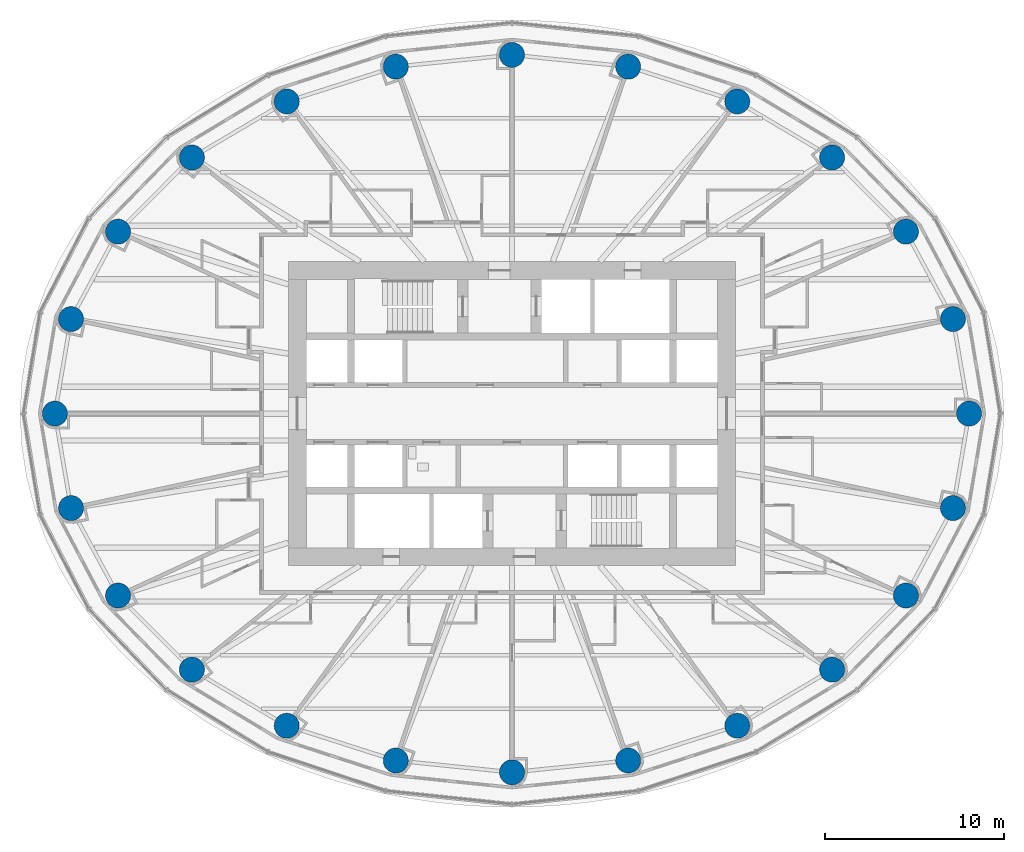
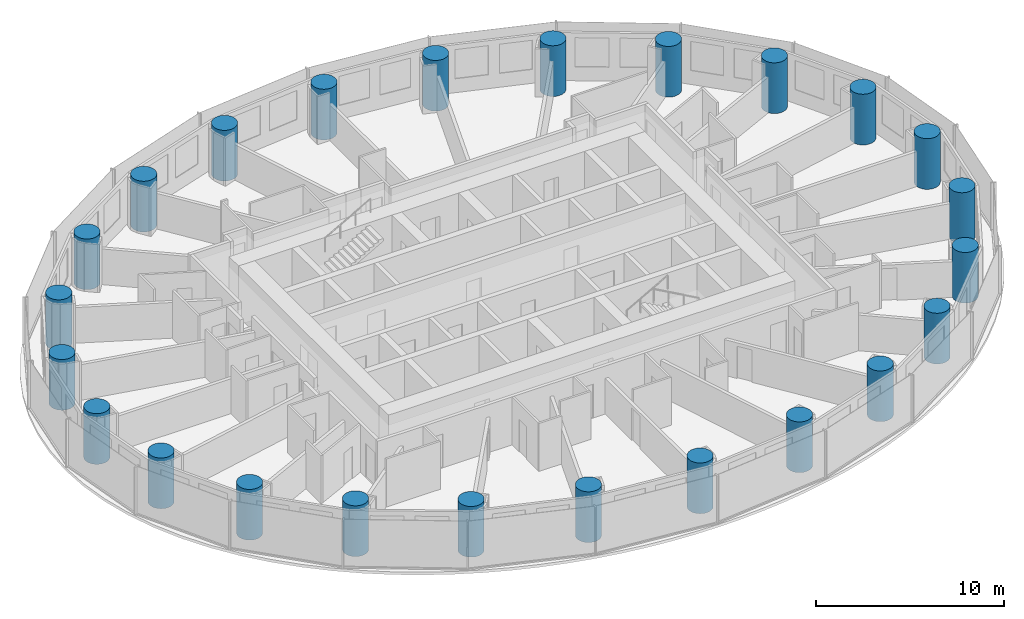
# One storey, part 1 of 16: 24 columns.
"""IFC4 building model written with IfcOpenShell, lengths in metres."""

from ifc_helpers import new_model, si_unit, direction, frame, origin, origin_2d, place, context, subcontext, project, spatial, circle, extrude, material, material_profile, profile_set, type_object, element, save


model = new_model("IFC4")

# Units and contexts
model_context = context("Model", 3, precision=1e-05, world=origin(), true_north=direction((0.0, 1.0)))
body_context = subcontext(model_context, "Body", "Model", "MODEL_VIEW")
ifc_project = project(units=[si_unit("LENGTHUNIT", "METRE"), si_unit("AREAUNIT", "SQUARE_METRE"), si_unit("VOLUMEUNIT", "CUBIC_METRE"), si_unit("PLANEANGLEUNIT", "RADIAN"), si_unit("MASSUNIT", "GRAM", prefix="KILO")], contexts=[model_context])

# Site, building, storey
site_placement = place(None, origin())
site = spatial("IfcSite", under=ifc_project, at=site_placement, CompositionType="ELEMENT")
building_placement = place(site_placement, origin())
building = spatial("IfcBuilding", under=site, at=building_placement, Name="Hankou Lantern Tower", CompositionType="ELEMENT")
storey_placement = place(building_placement, frame((0.0, 0.0, 70.5)))
storey = spatial("IfcBuildingStorey", under=building, at=storey_placement, Name="L17", CompositionType="ELEMENT", Elevation=70.5)

# Columns
ifc_material = material(Name="Concrete C60", Category="concrete")
ifc_material_profile = material_profile(ifc_material, circle(Radius=0.699951171875, at=origin_2d()), Name="RC D1400")
ifc_profile_set = profile_set([ifc_material_profile], Name="Concrete C60")
column_type = type_object("IfcColumnType", Name="TC2 PERIMETER COLUMN RC D1400", PredefinedType="COLUMN", material=ifc_profile_set)
for number, where, z_axis, x_axis, name in (
    (1, (25.550048828125, 0.0, 0.0), (0.0, 0.0, 1.0), (1.0, 0.0, 0.0), "Column R01 L17"),
    (2, (24.64697265625, 5.283203125, 0.0), (0.0, 0.0, 1.0), (1.0, 0.0, 0.0), "Column R02 L17"),
    (3, (22.01904296875, 10.170166015625, 0.0), (0.0, 0.0, 1.0), (1.0, 0.0, 0.0), "Column R03 L17"),
    (4, (17.891845703125, 14.3134765625, 0.0), (0.0, 0.0, 1.0), (1.0, 0.0, 0.0), "Column R04 L17"),
    (5, (12.5908203125, 17.446533203125, 0.0), (0.0, 0.0, 1.0), (1.0, 0.0, 0.0), "Column R05 L17"),
    (6, (6.494873046875, 19.391357421875, 0.0), (0.0, 0.0, 1.0), (1.0, 0.0, 0.0), "Column R06 L17"),
    (7, (0.0, 20.050048828125, 0.0), (0.0, 0.0, 1.0), (1.0, 0.0, 0.0), "Column R07 L17"),
    (8, (-6.494873046875, 19.391357421875, 0.0), (0.0, 0.0, 1.0), (1.0, 0.0, 0.0), "Column R08 L17"),
    (9, (-12.5908203125, 17.446533203125, 0.0), (0.0, 0.0, 1.0), (1.0, 0.0, 0.0), "Column R09 L17"),
    (10, (-17.891845703125, 14.3134765625, 0.0), (0.0, 0.0, 1.0), (1.0, 0.0, 0.0), "Column R10 L17"),
    (11, (-22.01904296875, 10.170166015625, 0.0), (0.0, 0.0, 1.0), (1.0, 0.0, 0.0), "Column R11 L17"),
    (12, (-24.64697265625, 5.283203125, 0.0), (0.0, 0.0, 1.0), (1.0, 0.0, 0.0), "Column R12 L17"),
    (13, (-25.550048828125, 0.0, 0.0), (0.0, 0.0, 1.0), (1.0, 0.0, 0.0), "Column R13 L17"),
    (14, (-24.64697265625, -5.283203125, 0.0), (0.0, 0.0, 1.0), (1.0, 0.0, 0.0), "Column R14 L17"),
    (15, (-22.01904296875, -10.170166015625, 0.0), (0.0, 0.0, 1.0), (1.0, 0.0, 0.0), "Column R15 L17"),
    (16, (-17.891845703125, -14.3134765625, 0.0), (0.0, 0.0, 1.0), (1.0, 0.0, 0.0), "Column R16 L17"),
    (17, (-12.5908203125, -17.446533203125, 0.0), (0.0, 0.0, 1.0), (1.0, 0.0, 0.0), "Column R17 L17"),
    (18, (-6.494873046875, -19.391357421875, 0.0), (0.0, 0.0, 1.0), (1.0, 0.0, 0.0), "Column R18 L17"),
    (19, (0.0, -20.050048828125, 0.0), (0.0, 0.0, 1.0), (1.0, 0.0, 0.0), "Column R19 L17"),
    (20, (6.494873046875, -19.391357421875, 0.0), (0.0, 0.0, 1.0), (1.0, 0.0, 0.0), "Column R20 L17"),
    (21, (12.5908203125, -17.446533203125, 0.0), (0.0, 0.0, 1.0), (1.0, 0.0, 0.0), "Column R21 L17"),
    (22, (17.891845703125, -14.3134765625, 0.0), (0.0, 0.0, 1.0), (1.0, 0.0, 0.0), "Column R22 L17"),
    (23, (22.01904296875, -10.170166015625, 0.0), (0.0, 0.0, 1.0), (1.0, 0.0, 0.0), "Column R23 L17"),
    (24, (24.64697265625, -5.283203125, 0.0), (0.0, 0.0, 1.0), (1.0, 0.0, 0.0), "Column R24 L17"),
):
    element("IfcColumn", number, at=place(storey_placement, frame(where, z_axis=z_axis, x_axis=x_axis)), inside=storey, type_object=column_type, Name=name, PredefinedType="COLUMN", context=body_context, shape_type="SweptSolid", body=[
        extrude(circle(Radius=0.699951171875, at=origin_2d()), origin(), (0.0, 0.0, 1.0), 3.300048828125),
    ])

save(model, "model.ifc")
